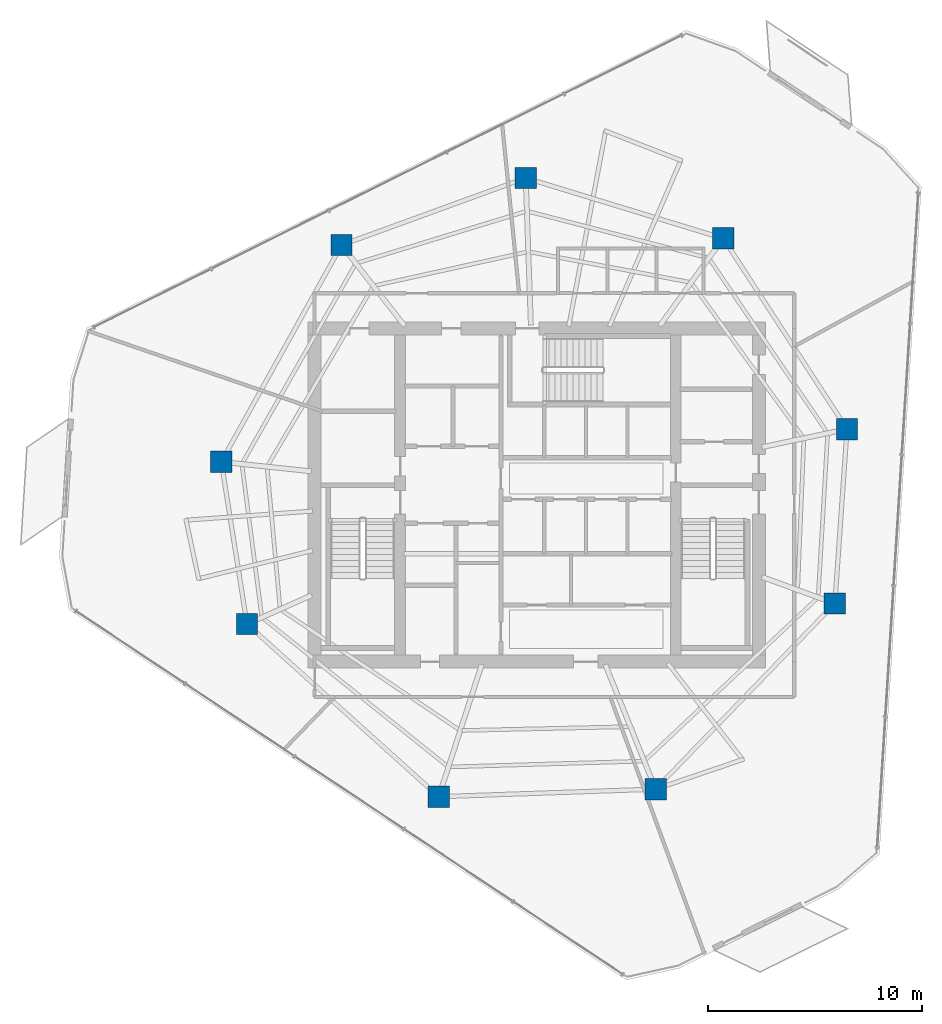
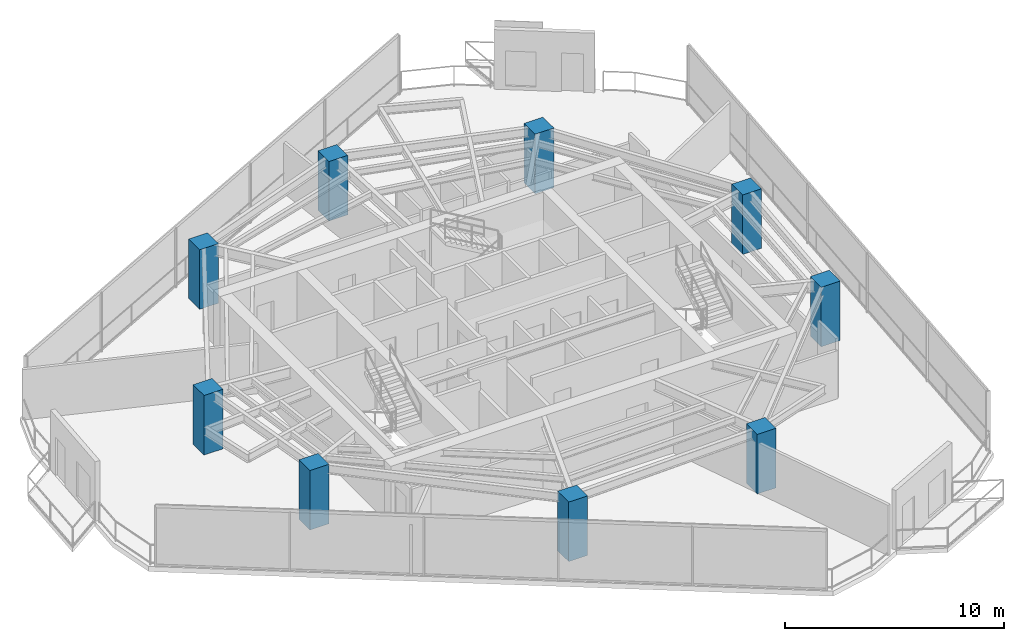
# One storey, part 1 of 21: 9 columns.
"""IFC4 building model written with IfcOpenShell, lengths in metres."""

import ifcopenshell
import ifcopenshell.guid

model = None  # the IFC model being written
_history = None  # IfcOwnerHistory: only IFC2X3 demands one
_inside = {}  # id of a spatial element -> (the spatial element, [elements in it])
_under = {}  # id of a project, library or spatial element -> (it, [spatial elements below it])
_declared = {}  # id of a project -> (the project, [libraries it declares])
_typed = {}  # id of a type object -> (the type object, [elements of that type])
_made_of = {}  # id of a material, layer set ... -> (it, [elements and type objects made of it])


def new_model(schema):
    """Start an empty IFC model of exactly this schema.

    Asked for "IFC4X3", IfcOpenShell would pick the latest addendum, in which some entities
    have other attributes; the version numbers below select the first issue.
    IFC2X3 requires an IfcOwnerHistory on every rooted entity: one is made here for all.
    """
    global model, _history
    if schema == "IFC4X3":
        model = ifcopenshell.file(schema_version=(4, 3, 0, 0))
    else:
        model = ifcopenshell.file(schema=schema)
    _inside.clear()
    _under.clear()
    _declared.clear()
    _typed.clear()
    _made_of.clear()
    _history = None
    if model.schema == "IFC2X3":
        org = make("IfcOrganization", Name="unknown")
        user = make(
            "IfcPersonAndOrganization",
            ThePerson=make("IfcPerson", FamilyName="unknown"),
            TheOrganization=org,
        )
        app = make(
            "IfcApplication",
            ApplicationDeveloper=org,
            Version="unknown",
            ApplicationFullName="unknown",
            ApplicationIdentifier="unknown",
        )
        _history = make(
            "IfcOwnerHistory",
            OwningUser=user,
            OwningApplication=app,
            ChangeAction="ADDED",
            CreationDate=0,
        )
    return model


def make(cls, **values):
    """One entity of the class cls with the attributes given. An attribute that is None is left unset."""
    return model.create_entity(
        cls, **{name: value for name, value in values.items() if value is not None}
    )


def rooted(cls, **values):
    """An entity with a GlobalId (a new one), such as an element, a storey or a relation."""
    return make(cls, GlobalId=ifcopenshell.guid.new(), OwnerHistory=_history, **values)


def si_unit(unit_type, name, prefix=None):
    """IfcSIUnit, for example si_unit("LENGTHUNIT", "METRE", prefix="MILLI")."""
    return make("IfcSIUnit", UnitType=unit_type, Prefix=prefix, Name=name)


def assignment(units):
    """IfcUnitAssignment: the units of a project."""
    return None if units is None else make("IfcUnitAssignment", Units=units)


def point(xyz):
    """IfcCartesianPoint."""
    return None if xyz is None else make("IfcCartesianPoint", Coordinates=xyz)


def direction(xyz):
    """IfcDirection."""
    return None if xyz is None else make("IfcDirection", DirectionRatios=xyz)


def frame(location, z_axis=None, x_axis=None):
    """IfcAxis2Placement3D, a coordinate frame: its origin and axes. An axis left out is left unset."""
    return make(
        "IfcAxis2Placement3D",
        Location=point(location),
        Axis=direction(z_axis),
        RefDirection=direction(x_axis),
    )


def frame_2d(location, x_axis=None):
    """IfcAxis2Placement2D, a coordinate frame in the plane: its origin and x axis."""
    return make(
        "IfcAxis2Placement2D", Location=point(location), RefDirection=direction(x_axis)
    )


def origin():
    """The frame at (0, 0, 0) with its axes left unset."""
    return frame((0.0, 0.0, 0.0))


def origin_2d():
    """The frame at (0, 0) in the plane with its x axis left unset."""
    return frame_2d((0.0, 0.0))


def place(relative_to, where):
    """IfcLocalPlacement: puts the frame where relative to a parent placement (None: the world)."""
    return make(
        "IfcLocalPlacement", PlacementRelTo=relative_to, RelativePlacement=where
    )


def context(
    kind, dimensions, precision=None, world=None, true_north=None, identifier=None
):
    """IfcGeometricRepresentationContext, for example the 3D "Model" context."""
    return make(
        "IfcGeometricRepresentationContext",
        ContextIdentifier=identifier,
        ContextType=kind,
        CoordinateSpaceDimension=dimensions,
        Precision=precision,
        WorldCoordinateSystem=world,
        TrueNorth=true_north,
    )


def subcontext(parent, identifier, kind, view, scale=None):
    """IfcGeometricRepresentationSubContext, for example "Body" below "Model"."""
    return make(
        "IfcGeometricRepresentationSubContext",
        ContextIdentifier=identifier,
        ContextType=kind,
        ParentContext=parent,
        TargetScale=scale,
        TargetView=view,
    )


def project(units=None, contexts=None):
    """IfcProject with its units and contexts."""
    return rooted(
        "IfcProject",
        Name="project",
        RepresentationContexts=contexts,
        UnitsInContext=assignment(units),
    )


def spatial(cls, under=None, at=None, **own):
    """A site, building, storey or space (cls), placed at a placement, below another one or the project."""
    s = rooted(cls, ObjectPlacement=at, **own)
    if under is not None:
        _under.setdefault(under.id(), (under, []))[1].append(s)
    return s


def profile(cls, at=None, kind="AREA", **sizes):
    """A parametric profile (cls). Its sizes go by their IFC names, for example OverallWidth=200.0."""
    return make(cls, ProfileType=kind, Position=at, **sizes)


def rectangle(**sizes):
    """IfcRectangleProfileDef."""
    return profile("IfcRectangleProfileDef", **sizes)


def extrude(swept, where, along, depth):
    """IfcExtrudedAreaSolid: the profile swept, set in the frame where, extruded along a direction by depth."""
    return make(
        "IfcExtrudedAreaSolid",
        SweptArea=swept,
        Position=where,
        ExtrudedDirection=direction(along),
        Depth=depth,
    )


def shape(context_of_items, identifier, shape_type, items):
    """IfcShapeRepresentation: the items that make up one representation, for example the "Body"."""
    return make(
        "IfcShapeRepresentation",
        ContextOfItems=context_of_items,
        RepresentationIdentifier=identifier,
        RepresentationType=shape_type,
        Items=items,
    )


def material(Name=None, Category=None):
    """IfcMaterial."""
    return make("IfcMaterial", Name=Name, Category=Category)


def material_profile(
    of_material, cross_section, Name=None, Category=None, Priority=None
):
    """IfcMaterialProfile: a cross section and its material."""
    return make(
        "IfcMaterialProfile",
        Name=Name,
        Material=of_material,
        Profile=cross_section,
        Priority=Priority,
        Category=Category,
    )


def profile_set(profiles, Name=None, composite=None):
    """IfcMaterialProfileSet."""
    return make(
        "IfcMaterialProfileSet",
        Name=Name,
        MaterialProfiles=profiles,
        CompositeProfile=composite,
    )


def made_of(thing, what):
    """Note that an element or type object is made of a material, layer set ...; save() writes the relation."""
    if what is not None:
        _made_of.setdefault(what.id(), (what, []))[1].append(thing)
    return thing


def type_object(cls, material=None, **own):
    """A type object (cls), such as IfcWallType, which elements share."""
    return made_of(rooted(cls, **own), material)


def element(
    cls,
    number,
    at=None,
    inside=None,
    cuts=None,
    type_object=None,
    material=None,
    context=None,
    identifier="Body",
    shape_type=None,
    held_by="IfcProductDefinitionShape",
    body=None,
    shapes=None,
    **own,
):
    """One element of the class cls, such as IfcWall. Its Tag is "e" and its number.

    at: its placement. inside: the storey or other place that contains it. cuts: it is an
    opening in that element (IfcRelVoidsElement). A single representation is given by context,
    identifier, shape_type and body (its items); several are given by shapes. held_by: the class
    of the entity that holds the representations. save() writes the other relations.
    """
    e = rooted(cls, Tag="e%d" % number, ObjectPlacement=at, **own)
    if body is not None:
        shapes = [shape(context, identifier, shape_type, body)]
    if shapes is not None:
        e.Representation = make(held_by, Representations=shapes)
    if inside is not None:
        _inside.setdefault(inside.id(), (inside, []))[1].append(e)
    if cuts is not None:
        rooted(
            "IfcRelVoidsElement", RelatingBuildingElement=cuts, RelatedOpeningElement=e
        )
    if type_object is not None:
        _typed.setdefault(type_object.id(), (type_object, []))[1].append(e)
    return made_of(e, material)


def aggregate(whole, parts):
    """IfcRelAggregates: a whole, such as a stair, and the parts it consists of."""
    return rooted("IfcRelAggregates", RelatingObject=whole, RelatedObjects=parts)


def save(model, path):
    """Write the relations noted so far, then the file.

    IfcRelAggregates (storeys below a building ...), IfcRelContainedInSpatialStructure (elements
    in a storey), IfcRelDefinesByType, IfcRelAssociatesMaterial and IfcRelDeclares: one each for
    every whole, place, type object, material and project.
    """
    for whole, parts in _under.values():
        aggregate(whole, parts)
    for where, things in _inside.values():
        rooted(
            "IfcRelContainedInSpatialStructure",
            RelatedElements=things,
            RelatingStructure=where,
        )
    for kind, things in _typed.values():
        rooted("IfcRelDefinesByType", RelatedObjects=things, RelatingType=kind)
    for what, things in _made_of.values():
        rooted("IfcRelAssociatesMaterial", RelatedObjects=things, RelatingMaterial=what)
    for by, libraries in _declared.values():
        rooted("IfcRelDeclares", RelatingContext=by, RelatedDefinitions=libraries)
    model.write(path)


model = new_model("IFC4")

# Units and contexts
model_context = context("Model", 3, precision=1e-05, world=origin(), true_north=direction((0.0, 1.0)))
body_context = subcontext(model_context, "Body", "Model", "MODEL_VIEW")
ifc_project = project(units=[si_unit("LENGTHUNIT", "METRE"), si_unit("AREAUNIT", "SQUARE_METRE"), si_unit("VOLUMEUNIT", "CUBIC_METRE"), si_unit("PLANEANGLEUNIT", "RADIAN"), si_unit("MASSUNIT", "GRAM", prefix="KILO")], contexts=[model_context])

# Site, building, storey
site_placement = place(None, origin())
site = spatial("IfcSite", under=ifc_project, at=site_placement, CompositionType="ELEMENT")
building_placement = place(site_placement, origin())
building = spatial("IfcBuilding", under=site, at=building_placement, Name="Qarnah Convention Tower", CompositionType="ELEMENT")
storey_placement = place(building_placement, frame((0.0, 0.0, 165.300048828125)))
storey = spatial("IfcBuildingStorey", under=building, at=storey_placement, Name="L44", CompositionType="ELEMENT", Elevation=165.300048828125)

# Columns
ifc_material = material(Name="Concrete C60/75", Category="concrete")
ifc_material_profile = material_profile(ifc_material, rectangle(XDim=1.0, YDim=1.0, at=origin_2d()), Name="RC-COL-1000X1000")
ifc_profile_set = profile_set([ifc_material_profile], Name="Concrete C60/75")
column_type = type_object("IfcColumnType", Name="COL-Z3-1000", PredefinedType="COLUMN", material=ifc_profile_set)
for number, where, z_axis, x_axis, name in (
    (1, (51.72509765625, 29.487060546875, 0.0), (0.0, 0.0, 1.0), (1.0, 0.0, 0.0), "L44 plumb column PC-Z3-01"),
    (2, (45.928955078125, 38.4140625, 0.0), (0.0, 0.0, 1.0), (1.0, 0.0, 0.0), "L44 plumb column PC-Z3-02"),
    (3, (36.681884765625, 41.240966796875, 0.0), (0.0, 0.0, 1.0), (1.0, 0.0, 0.0), "L44 plumb column PC-Z3-03"),
    (4, (28.056884765625, 38.10205078125, 0.0), (0.0, 0.0, 1.0), (1.0, 0.0, 0.0), "L44 plumb column PC-Z3-04"),
    (5, (22.430908203125, 27.951904296875, 0.0), (0.0, 0.0, 1.0), (1.0, 0.0, 0.0), "L44 plumb column PC-Z3-05"),
    (6, (23.634033203125, 20.360107421875, 0.0), (0.0, 0.0, 1.0), (1.0, 0.0, 0.0), "L44 plumb column PC-Z3-06"),
    (7, (32.611083984375, 12.277099609375, 0.0), (0.0, 0.0, 1.0), (1.0, 0.0, 0.0), "L44 plumb column PC-Z3-07"),
    (8, (42.762939453125, 12.631103515625, 0.0), (0.0, 0.0, 1.0), (1.0, 0.0, 0.0), "L44 plumb column PC-Z3-08"),
    (9, (51.154052734375, 21.321044921875, 0.0), (0.0, 0.0, 1.0), (1.0, 0.0, 0.0), "L44 plumb column PC-Z3-09"),
):
    element("IfcColumn", number, at=place(storey_placement, frame(where, z_axis=z_axis, x_axis=x_axis)), inside=storey, type_object=column_type, Name=name, PredefinedType="COLUMN", context=body_context, shape_type="SweptSolid", body=[
        extrude(rectangle(XDim=1.0, YDim=1.0, at=origin_2d()), origin(), (0.0, 0.0, 1.0), 3.320068359375),
    ])

save(model, "model.ifc")
